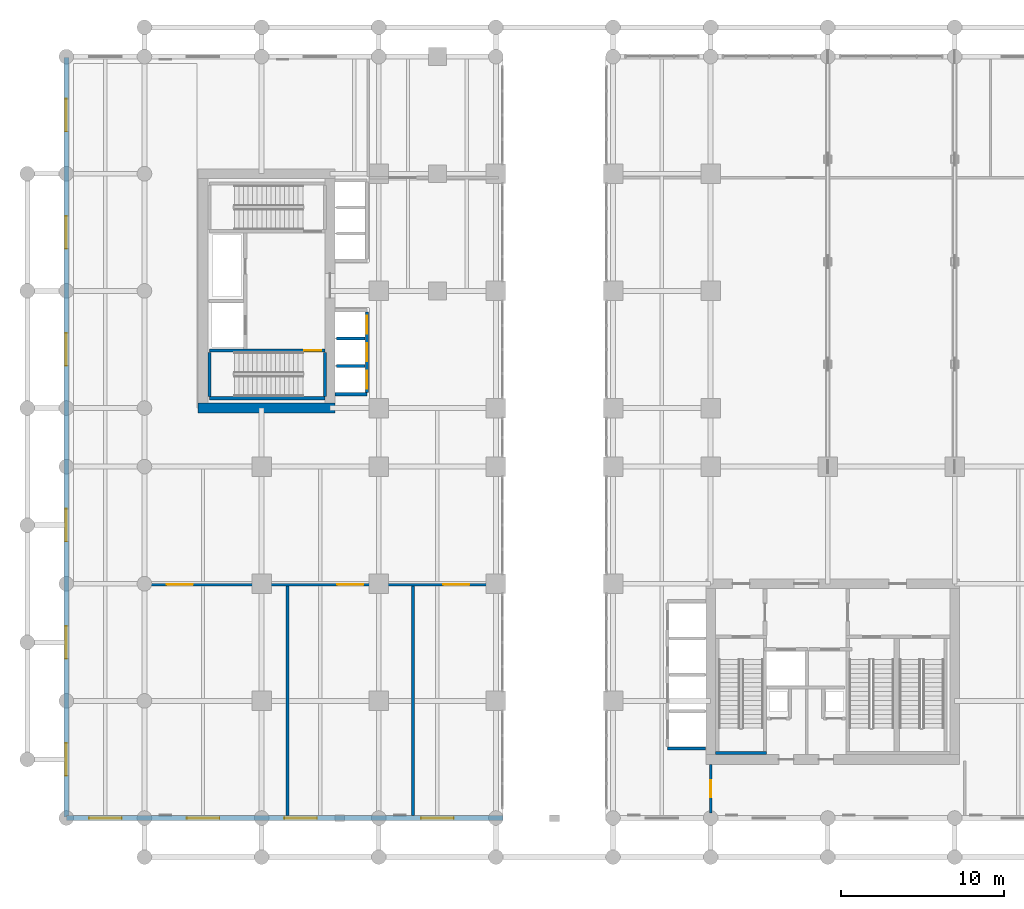
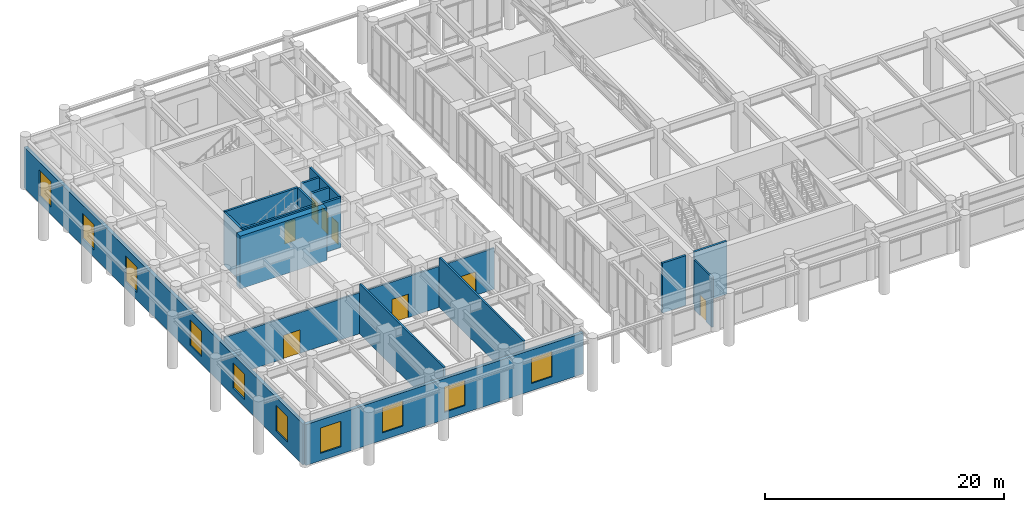
# One storey, part 16 of 24: 17 walls, 10 windows, 8 doors, 18 openings.
"""IFC4 building model written with IfcOpenShell, lengths in metres."""

import ifcopenshell
import ifcopenshell.guid

model = None  # the IFC model being written
_history = None  # IfcOwnerHistory: only IFC2X3 demands one
_inside = {}  # id of a spatial element -> (the spatial element, [elements in it])
_under = {}  # id of a project, library or spatial element -> (it, [spatial elements below it])
_declared = {}  # id of a project -> (the project, [libraries it declares])
_typed = {}  # id of a type object -> (the type object, [elements of that type])
_made_of = {}  # id of a material, layer set ... -> (it, [elements and type objects made of it])


def new_model(schema):
    """Start an empty IFC model of exactly this schema.

    Asked for "IFC4X3", IfcOpenShell would pick the latest addendum, in which some entities
    have other attributes; the version numbers below select the first issue.
    IFC2X3 requires an IfcOwnerHistory on every rooted entity: one is made here for all.
    """
    global model, _history
    if schema == "IFC4X3":
        model = ifcopenshell.file(schema_version=(4, 3, 0, 0))
    else:
        model = ifcopenshell.file(schema=schema)
    _inside.clear()
    _under.clear()
    _declared.clear()
    _typed.clear()
    _made_of.clear()
    _history = None
    if model.schema == "IFC2X3":
        org = make("IfcOrganization", Name="unknown")
        user = make(
            "IfcPersonAndOrganization",
            ThePerson=make("IfcPerson", FamilyName="unknown"),
            TheOrganization=org,
        )
        app = make(
            "IfcApplication",
            ApplicationDeveloper=org,
            Version="unknown",
            ApplicationFullName="unknown",
            ApplicationIdentifier="unknown",
        )
        _history = make(
            "IfcOwnerHistory",
            OwningUser=user,
            OwningApplication=app,
            ChangeAction="ADDED",
            CreationDate=0,
        )
    return model


def make(cls, **values):
    """One entity of the class cls with the attributes given. An attribute that is None is left unset."""
    return model.create_entity(
        cls, **{name: value for name, value in values.items() if value is not None}
    )


def rooted(cls, **values):
    """An entity with a GlobalId (a new one), such as an element, a storey or a relation."""
    return make(cls, GlobalId=ifcopenshell.guid.new(), OwnerHistory=_history, **values)


def si_unit(unit_type, name, prefix=None):
    """IfcSIUnit, for example si_unit("LENGTHUNIT", "METRE", prefix="MILLI")."""
    return make("IfcSIUnit", UnitType=unit_type, Prefix=prefix, Name=name)


def derived_unit(unit_type, elements):
    """IfcDerivedUnit: a product of units, each with its exponent."""
    return make(
        "IfcDerivedUnit",
        Elements=[
            make("IfcDerivedUnitElement", Unit=unit, Exponent=power)
            for unit, power in elements
        ],
        UnitType=unit_type,
    )


def assignment(units):
    """IfcUnitAssignment: the units of a project."""
    return None if units is None else make("IfcUnitAssignment", Units=units)


def point(xyz):
    """IfcCartesianPoint."""
    return None if xyz is None else make("IfcCartesianPoint", Coordinates=xyz)


def direction(xyz):
    """IfcDirection."""
    return None if xyz is None else make("IfcDirection", DirectionRatios=xyz)


def frame(location, z_axis=None, x_axis=None):
    """IfcAxis2Placement3D, a coordinate frame: its origin and axes. An axis left out is left unset."""
    return make(
        "IfcAxis2Placement3D",
        Location=point(location),
        Axis=direction(z_axis),
        RefDirection=direction(x_axis),
    )


def frame_2d(location, x_axis=None):
    """IfcAxis2Placement2D, a coordinate frame in the plane: its origin and x axis."""
    return make(
        "IfcAxis2Placement2D", Location=point(location), RefDirection=direction(x_axis)
    )


def origin():
    """The frame at (0, 0, 0) with its axes left unset."""
    return frame((0.0, 0.0, 0.0))


def place(relative_to, where):
    """IfcLocalPlacement: puts the frame where relative to a parent placement (None: the world)."""
    return make(
        "IfcLocalPlacement", PlacementRelTo=relative_to, RelativePlacement=where
    )


def context(
    kind, dimensions, precision=None, world=None, true_north=None, identifier=None
):
    """IfcGeometricRepresentationContext, for example the 3D "Model" context."""
    return make(
        "IfcGeometricRepresentationContext",
        ContextIdentifier=identifier,
        ContextType=kind,
        CoordinateSpaceDimension=dimensions,
        Precision=precision,
        WorldCoordinateSystem=world,
        TrueNorth=true_north,
    )


def subcontext(parent, identifier, kind, view, scale=None):
    """IfcGeometricRepresentationSubContext, for example "Body" below "Model"."""
    return make(
        "IfcGeometricRepresentationSubContext",
        ContextIdentifier=identifier,
        ContextType=kind,
        ParentContext=parent,
        TargetScale=scale,
        TargetView=view,
    )


def project(units=None, contexts=None):
    """IfcProject with its units and contexts."""
    return rooted(
        "IfcProject",
        Name="project",
        RepresentationContexts=contexts,
        UnitsInContext=assignment(units),
    )


def spatial(cls, under=None, at=None, **own):
    """A site, building, storey or space (cls), placed at a placement, below another one or the project."""
    s = rooted(cls, ObjectPlacement=at, **own)
    if under is not None:
        _under.setdefault(under.id(), (under, []))[1].append(s)
    return s


def profile(cls, at=None, kind="AREA", **sizes):
    """A parametric profile (cls). Its sizes go by their IFC names, for example OverallWidth=200.0."""
    return make(cls, ProfileType=kind, Position=at, **sizes)


def rectangle(**sizes):
    """IfcRectangleProfileDef."""
    return profile("IfcRectangleProfileDef", **sizes)


def extrude(swept, where, along, depth):
    """IfcExtrudedAreaSolid: the profile swept, set in the frame where, extruded along a direction by depth."""
    return make(
        "IfcExtrudedAreaSolid",
        SweptArea=swept,
        Position=where,
        ExtrudedDirection=direction(along),
        Depth=depth,
    )


def shape(context_of_items, identifier, shape_type, items):
    """IfcShapeRepresentation: the items that make up one representation, for example the "Body"."""
    return make(
        "IfcShapeRepresentation",
        ContextOfItems=context_of_items,
        RepresentationIdentifier=identifier,
        RepresentationType=shape_type,
        Items=items,
    )


def source(mapping_origin, context_of_items, identifier, shape_type, items):
    """IfcRepresentationMap: a shape defined once, which mapped items show again and again."""
    return make(
        "IfcRepresentationMap",
        MappingOrigin=mapping_origin,
        MappedRepresentation=shape(context_of_items, identifier, shape_type, items),
    )


def transform(
    local_origin,
    x_axis=None,
    y_axis=None,
    z_axis=None,
    scale=None,
    scale2=None,
    scale3=None,
    uniform=True,
):
    """IfcCartesianTransformationOperator3D, or its non-uniform kind. x_axis, y_axis, z_axis: its Axis1, 2, 3."""
    if uniform:
        return make(
            "IfcCartesianTransformationOperator3D",
            Axis1=direction(x_axis),
            Axis2=direction(y_axis),
            LocalOrigin=point(local_origin),
            Scale=scale,
            Axis3=direction(z_axis),
        )
    return make(
        "IfcCartesianTransformationOperator3DnonUniform",
        Axis1=direction(x_axis),
        Axis2=direction(y_axis),
        LocalOrigin=point(local_origin),
        Scale=scale,
        Axis3=direction(z_axis),
        Scale2=scale2,
        Scale3=scale3,
    )


def mapped(mapping_source, mapping_target):
    """IfcMappedItem: shows the shape of a source again, moved by a transform."""
    return make(
        "IfcMappedItem", MappingSource=mapping_source, MappingTarget=mapping_target
    )


def material(Name=None, Category=None):
    """IfcMaterial."""
    return make("IfcMaterial", Name=Name, Category=Category)


def layer(
    of_material, thickness, ventilated=None, Name=None, Category=None, Priority=None
):
    """IfcMaterialLayer: one layer of a wall or slab, of a material (None: an air gap)."""
    return make(
        "IfcMaterialLayer",
        Material=of_material,
        LayerThickness=thickness,
        IsVentilated=ventilated,
        Name=Name,
        Category=Category,
        Priority=Priority,
    )


def layer_set(layers, Name=None):
    """IfcMaterialLayerSet."""
    return make("IfcMaterialLayerSet", MaterialLayers=layers, LayerSetName=Name)


def made_of(thing, what):
    """Note that an element or type object is made of a material, layer set ...; save() writes the relation."""
    if what is not None:
        _made_of.setdefault(what.id(), (what, []))[1].append(thing)
    return thing


def type_object(cls, material=None, **own):
    """A type object (cls), such as IfcWallType, which elements share."""
    return made_of(rooted(cls, **own), material)


def type_shapes(of_type, sources):
    """Give a type object the sources (RepresentationMaps) that its elements show as mapped items."""
    of_type.RepresentationMaps = sources


def element(
    cls,
    number,
    at=None,
    inside=None,
    cuts=None,
    type_object=None,
    material=None,
    context=None,
    identifier="Body",
    shape_type=None,
    held_by="IfcProductDefinitionShape",
    body=None,
    shapes=None,
    **own,
):
    """One element of the class cls, such as IfcWall. Its Tag is "e" and its number.

    at: its placement. inside: the storey or other place that contains it. cuts: it is an
    opening in that element (IfcRelVoidsElement). A single representation is given by context,
    identifier, shape_type and body (its items); several are given by shapes. held_by: the class
    of the entity that holds the representations. save() writes the other relations.
    """
    e = rooted(cls, Tag="e%d" % number, ObjectPlacement=at, **own)
    if body is not None:
        shapes = [shape(context, identifier, shape_type, body)]
    if shapes is not None:
        e.Representation = make(held_by, Representations=shapes)
    if inside is not None:
        _inside.setdefault(inside.id(), (inside, []))[1].append(e)
    if cuts is not None:
        rooted(
            "IfcRelVoidsElement", RelatingBuildingElement=cuts, RelatedOpeningElement=e
        )
    if type_object is not None:
        _typed.setdefault(type_object.id(), (type_object, []))[1].append(e)
    return made_of(e, material)


def fill(opening, filler):
    """IfcRelFillsElement: the door or window that sits in an opening."""
    return rooted(
        "IfcRelFillsElement",
        RelatingOpeningElement=opening,
        RelatedBuildingElement=filler,
    )


def aggregate(whole, parts):
    """IfcRelAggregates: a whole, such as a stair, and the parts it consists of."""
    return rooted("IfcRelAggregates", RelatingObject=whole, RelatedObjects=parts)


def save(model, path):
    """Write the relations noted so far, then the file.

    IfcRelAggregates (storeys below a building ...), IfcRelContainedInSpatialStructure (elements
    in a storey), IfcRelDefinesByType, IfcRelAssociatesMaterial and IfcRelDeclares: one each for
    every whole, place, type object, material and project.
    """
    for whole, parts in _under.values():
        aggregate(whole, parts)
    for where, things in _inside.values():
        rooted(
            "IfcRelContainedInSpatialStructure",
            RelatedElements=things,
            RelatingStructure=where,
        )
    for kind, things in _typed.values():
        rooted("IfcRelDefinesByType", RelatedObjects=things, RelatingType=kind)
    for what, things in _made_of.values():
        rooted("IfcRelAssociatesMaterial", RelatedObjects=things, RelatingMaterial=what)
    for by, libraries in _declared.values():
        rooted("IfcRelDeclares", RelatingContext=by, RelatedDefinitions=libraries)
    model.write(path)


model = new_model("IFC4")

# Units and contexts
model_context = context("Model", 3, precision=1e-05, world=origin(), true_north=direction((0.0, 1.0)))
body_context = subcontext(model_context, "Body", "Model", "MODEL_VIEW")
ifc_project = project(units=[si_unit("LENGTHUNIT", "METRE"), si_unit("AREAUNIT", "SQUARE_METRE"), si_unit("VOLUMEUNIT", "CUBIC_METRE"), si_unit("PLANEANGLEUNIT", "RADIAN"), si_unit("MASSUNIT", "GRAM", prefix="KILO"), si_unit("THERMODYNAMICTEMPERATUREUNIT", "KELVIN"), si_unit("POWERUNIT", "WATT"), derived_unit("THERMALTRANSMITTANCEUNIT", [(si_unit("POWERUNIT", "WATT"), 1), (si_unit("AREAUNIT", "SQUARE_METRE"), -1), (si_unit("THERMODYNAMICTEMPERATUREUNIT", "KELVIN"), -1)])], contexts=[model_context])

# Site, building, storey
site_placement = place(None, origin())
site = spatial("IfcSite", under=ifc_project, at=site_placement, CompositionType="ELEMENT")
building_placement = place(site_placement, origin())
building = spatial("IfcBuilding", under=site, at=building_placement, Name="Zahravan Archway Hotel and Residences", CompositionType="ELEMENT")
storey_placement = place(building_placement, frame((0.0, 0.0, 10.800048828125)))
storey = spatial("IfcBuildingStorey", under=building, at=storey_placement, Name="L02", CompositionType="ELEMENT", Elevation=10.800048828125)

# Wall
ifc_material_1 = material(Name="Concrete C70/85", Category="concrete")
ifc_layer_1 = layer(ifc_material_1, 0.60009765625, Name="Concrete C70/85", Category="concrete")
ifc_layer_set_1 = layer_set([ifc_layer_1], Name="Concrete C70/85")
wall_type_1 = type_object("IfcWallType", Name="CW-CORE-600", PredefinedType="SHEAR", material=ifc_layer_set_1)
wall_1_placement = place(storey_placement, frame((3.300048828125, 25.199951171875, 0.0), z_axis=(0.0, 0.0, 1.0), x_axis=(1.0, 0.0, 0.0)))
element("IfcWall", 1, at=wall_1_placement, inside=storey, type_object=wall_type_1, Name="L02 Core B Shear S Wall 600 mm", PredefinedType="SHEAR", context=body_context, shape_type="SweptSolid", body=[
    extrude(rectangle(XDim=8.39990234375, YDim=0.60009765625, at=frame_2d((4.199951171875, 0.0))), origin(), (0.0, 0.0, 1.0), 5.39990234375),
])

# Wall, openings, windows
ifc_material_2 = material(Name="Agra Buff Sandstone & Insulated Backup", Category="masonry")
ifc_layer_2 = layer(ifc_material_2, 0.320068359375, Name="Agra Buff Sandstone & Insulated Backup", Category="masonry")
ifc_layer_set_2 = layer_set([ifc_layer_2], Name="Agra Buff Sandstone & Insulated Backup")
wall_type_2 = type_object("IfcWallType", Name="EW-SAND-320", PredefinedType="SOLIDWALL", material=ifc_layer_set_2)
wall_2_placement = place(storey_placement, frame((-4.800048828125, 0.0, 0.0), z_axis=(0.0, 0.0, 1.0), x_axis=(1.0, 0.0, 0.0)))
wall_2 = element("IfcWall", 2, at=wall_2_placement, inside=storey, type_object=wall_type_2, Name="L02 Podium Sandstone S Wall", PredefinedType="SOLIDWALL", context=body_context, shape_type="SweptSolid", body=[
    extrude(rectangle(XDim=26.85009765625, YDim=0.320068359375, at=frame_2d((13.425048828125, 0.0))), origin(), (0.0, 0.0, 1.0), 4.18505859375),
])
opening_1_placement = place(wall_2_placement, frame((1.39990234375, 0.0, 0.75)))
opening_1 = element("IfcOpeningElement", 3, at=opening_1_placement, cuts=wall_2, Name="Opening W-01", PredefinedType="OPENING", context=body_context, shape_type="SweptSolid", body=[
    extrude(rectangle(XDim=2.0, YDim=2.60009765625, at=frame_2d((1.0, 1.300048828125))), frame((0.0, 0.169921875, 0.0), z_axis=(0.0, -1.0, 0.0), x_axis=(1.0, 0.0, 0.0)), (0.0, 0.0, 1.0), 0.340087890625),
])
opening_2_placement = place(wall_2_placement, frame((7.39990234375, 0.0, 0.75)))
opening_2 = element("IfcOpeningElement", 4, at=opening_2_placement, cuts=wall_2, Name="Opening W-01", PredefinedType="OPENING", context=body_context, shape_type="SweptSolid", body=[
    extrude(rectangle(XDim=2.0, YDim=2.60009765625, at=frame_2d((1.0, 1.300048828125))), frame((0.0, 0.169921875, 0.0), z_axis=(0.0, -1.0, 0.0), x_axis=(1.0, 0.0, 0.0)), (0.0, 0.0, 1.0), 0.340087890625),
])
opening_3_placement = place(wall_2_placement, frame((13.39990234375, 0.0, 0.75)))
opening_3 = element("IfcOpeningElement", 5, at=opening_3_placement, cuts=wall_2, Name="Opening W-01", PredefinedType="OPENING", context=body_context, shape_type="SweptSolid", body=[
    extrude(rectangle(XDim=2.0, YDim=2.60009765625, at=frame_2d((1.0, 1.300048828125))), frame((0.0, 0.169921875, 0.0), z_axis=(0.0, -1.0, 0.0), x_axis=(1.0, 0.0, 0.0)), (0.0, 0.0, 1.0), 0.340087890625),
])
opening_4_placement = place(wall_2_placement, frame((21.800048828125, 0.0, 0.75)))
opening_4 = element("IfcOpeningElement", 6, at=opening_4_placement, cuts=wall_2, Name="Opening W-01", PredefinedType="OPENING", context=body_context, shape_type="SweptSolid", body=[
    extrude(rectangle(XDim=2.0, YDim=2.60009765625, at=frame_2d((1.0, 1.300048828125))), frame((0.0, 0.169921875, 0.0), z_axis=(0.0, -1.0, 0.0), x_axis=(1.0, 0.0, 0.0)), (0.0, 0.0, 1.0), 0.340087890625),
])
ifc_material_3 = material(Name="Bronze-Anodized Thermal-Break Aluminium & Low-E Glass", Category="aluminium")
window_type = type_object("IfcWindowType", Name="WIN-ARC-2000", PartitioningType="DOUBLE_PANEL_VERTICAL", PredefinedType="WINDOW", material=ifc_material_3)
shared_shape_1 = source(origin(), body_context, "Body", "SweptSolid", [
    extrude(rectangle(XDim=2.0, YDim=2.60009765625, at=frame_2d((1.0, 1.300048828125))), frame((0.0, 0.030029296875, 0.0), z_axis=(0.0, -1.0, 0.0), x_axis=(1.0, 0.0, 0.0)), (0.0, 0.0, 1.0), 0.06005859375),
])
type_shapes(window_type, [shared_shape_1])
window_1_placement = place(opening_1_placement, origin())
window_1 = element("IfcWindow", 7, at=window_1_placement, inside=storey, type_object=window_type, Name="L02 Podium Mughal Arch Window 01", OverallHeight=2.60009765625, OverallWidth=2.0, PartitioningType="DOUBLE_PANEL_VERTICAL", PredefinedType="WINDOW", context=body_context, shape_type="MappedRepresentation", body=[
    mapped(shared_shape_1, transform((0.0, 0.0, 0.0), scale=1.0)),
])
fill(opening_1, window_1)
window_2_placement = place(opening_2_placement, origin())
window_2 = element("IfcWindow", 8, at=window_2_placement, inside=storey, type_object=window_type, Name="L02 Podium Mughal Arch Window 02", OverallHeight=2.60009765625, OverallWidth=2.0, PartitioningType="DOUBLE_PANEL_VERTICAL", PredefinedType="WINDOW", context=body_context, shape_type="MappedRepresentation", body=[
    mapped(shared_shape_1, transform((0.0, 0.0, 0.0), scale=1.0)),
])
fill(opening_2, window_2)
window_3_placement = place(opening_3_placement, origin())
window_3 = element("IfcWindow", 9, at=window_3_placement, inside=storey, type_object=window_type, Name="L02 Podium Mughal Arch Window 03", OverallHeight=2.60009765625, OverallWidth=2.0, PartitioningType="DOUBLE_PANEL_VERTICAL", PredefinedType="WINDOW", context=body_context, shape_type="MappedRepresentation", body=[
    mapped(shared_shape_1, transform((0.0, 0.0, 0.0), scale=1.0)),
])
fill(opening_3, window_3)
window_4_placement = place(opening_4_placement, origin())
window_4 = element("IfcWindow", 10, at=window_4_placement, inside=storey, type_object=window_type, Name="L02 Podium Mughal Arch Window 04", OverallHeight=2.60009765625, OverallWidth=2.0, PartitioningType="DOUBLE_PANEL_VERTICAL", PredefinedType="WINDOW", context=body_context, shape_type="MappedRepresentation", body=[
    mapped(shared_shape_1, transform((0.0, 0.0, 0.0), scale=1.0)),
])
fill(opening_4, window_4)

wall_3_placement = place(storey_placement, frame((-4.800048828125, 0.050048828125, 0.0), z_axis=(0.0, 0.0, 1.0), x_axis=(0.0, 1.0, 0.0)))
wall_3 = element("IfcWall", 11, at=wall_3_placement, inside=storey, type_object=wall_type_2, Name="L02 Podium Sandstone W Wall", PredefinedType="SOLIDWALL", context=body_context, shape_type="SweptSolid", body=[
    extrude(rectangle(XDim=46.699951171875, YDim=0.320068359375, at=frame_2d((23.35009765625, 0.0))), origin(), (0.0, 0.0, 1.0), 4.18505859375),
])
opening_5_placement = place(wall_3_placement, frame((2.550048828125, 0.0, 0.75)))
opening_5 = element("IfcOpeningElement", 12, at=opening_5_placement, cuts=wall_3, Name="Opening W-01", PredefinedType="OPENING", context=body_context, shape_type="SweptSolid", body=[
    extrude(rectangle(XDim=2.0, YDim=2.60009765625, at=frame_2d((1.0, 1.300048828125))), frame((0.0, 0.169921875, 0.0), z_axis=(0.0, -1.0, 0.0), x_axis=(1.0, 0.0, 0.0)), (0.0, 0.0, 1.0), 0.340087890625),
])
opening_6_placement = place(wall_3_placement, frame((9.75, 0.0, 0.75)))
opening_6 = element("IfcOpeningElement", 13, at=opening_6_placement, cuts=wall_3, Name="Opening W-01", PredefinedType="OPENING", context=body_context, shape_type="SweptSolid", body=[
    extrude(rectangle(XDim=2.0, YDim=2.60009765625, at=frame_2d((1.0, 1.300048828125))), frame((0.0, 0.169921875, 0.0), z_axis=(0.0, -1.0, 0.0), x_axis=(1.0, 0.0, 0.0)), (0.0, 0.0, 1.0), 0.340087890625),
])
opening_7_placement = place(wall_3_placement, frame((16.949951171875, 0.0, 0.75)))
opening_7 = element("IfcOpeningElement", 14, at=opening_7_placement, cuts=wall_3, Name="Opening W-01", PredefinedType="OPENING", context=body_context, shape_type="SweptSolid", body=[
    extrude(rectangle(XDim=2.0, YDim=2.60009765625, at=frame_2d((1.0, 1.300048828125))), frame((0.0, 0.169921875, 0.0), z_axis=(0.0, -1.0, 0.0), x_axis=(1.0, 0.0, 0.0)), (0.0, 0.0, 1.0), 0.340087890625),
])
opening_8_placement = place(wall_3_placement, frame((27.75, 0.0, 0.75)))
opening_8 = element("IfcOpeningElement", 15, at=opening_8_placement, cuts=wall_3, Name="Opening W-01", PredefinedType="OPENING", context=body_context, shape_type="SweptSolid", body=[
    extrude(rectangle(XDim=2.0, YDim=2.60009765625, at=frame_2d((1.0, 1.300048828125))), frame((0.0, 0.169921875, 0.0), z_axis=(0.0, -1.0, 0.0), x_axis=(1.0, 0.0, 0.0)), (0.0, 0.0, 1.0), 0.340087890625),
])
opening_9_placement = place(wall_3_placement, frame((34.949951171875, 0.0, 0.75)))
opening_9 = element("IfcOpeningElement", 16, at=opening_9_placement, cuts=wall_3, Name="Opening W-01", PredefinedType="OPENING", context=body_context, shape_type="SweptSolid", body=[
    extrude(rectangle(XDim=2.0, YDim=2.60009765625, at=frame_2d((1.0, 1.300048828125))), frame((0.0, 0.169921875, 0.0), z_axis=(0.0, -1.0, 0.0), x_axis=(1.0, 0.0, 0.0)), (0.0, 0.0, 1.0), 0.340087890625),
])
opening_10_placement = place(wall_3_placement, frame((42.14990234375, 0.0, 0.75)))
opening_10 = element("IfcOpeningElement", 17, at=opening_10_placement, cuts=wall_3, Name="Opening W-01", PredefinedType="OPENING", context=body_context, shape_type="SweptSolid", body=[
    extrude(rectangle(XDim=2.0, YDim=2.60009765625, at=frame_2d((1.0, 1.300048828125))), frame((0.0, 0.169921875, 0.0), z_axis=(0.0, -1.0, 0.0), x_axis=(1.0, 0.0, 0.0)), (0.0, 0.0, 1.0), 0.340087890625),
])
window_5_placement = place(opening_5_placement, origin())
window_5 = element("IfcWindow", 18, at=window_5_placement, inside=storey, type_object=window_type, Name="L02 Podium Mughal Arch Window 20", OverallHeight=2.60009765625, OverallWidth=2.0, PartitioningType="DOUBLE_PANEL_VERTICAL", PredefinedType="WINDOW", context=body_context, shape_type="MappedRepresentation", body=[
    mapped(shared_shape_1, transform((0.0, 0.0, 0.0), scale=1.0)),
])
fill(opening_5, window_5)
window_6_placement = place(opening_6_placement, origin())
window_6 = element("IfcWindow", 19, at=window_6_placement, inside=storey, type_object=window_type, Name="L02 Podium Mughal Arch Window 21", OverallHeight=2.60009765625, OverallWidth=2.0, PartitioningType="DOUBLE_PANEL_VERTICAL", PredefinedType="WINDOW", context=body_context, shape_type="MappedRepresentation", body=[
    mapped(shared_shape_1, transform((0.0, 0.0, 0.0), scale=1.0)),
])
fill(opening_6, window_6)
window_7_placement = place(opening_7_placement, origin())
window_7 = element("IfcWindow", 20, at=window_7_placement, inside=storey, type_object=window_type, Name="L02 Podium Mughal Arch Window 22", OverallHeight=2.60009765625, OverallWidth=2.0, PartitioningType="DOUBLE_PANEL_VERTICAL", PredefinedType="WINDOW", context=body_context, shape_type="MappedRepresentation", body=[
    mapped(shared_shape_1, transform((0.0, 0.0, 0.0), scale=1.0)),
])
fill(opening_7, window_7)
window_8_placement = place(opening_8_placement, origin())
window_8 = element("IfcWindow", 21, at=window_8_placement, inside=storey, type_object=window_type, Name="L02 Podium Mughal Arch Window 23", OverallHeight=2.60009765625, OverallWidth=2.0, PartitioningType="DOUBLE_PANEL_VERTICAL", PredefinedType="WINDOW", context=body_context, shape_type="MappedRepresentation", body=[
    mapped(shared_shape_1, transform((0.0, 0.0, 0.0), scale=1.0)),
])
fill(opening_8, window_8)
window_9_placement = place(opening_9_placement, origin())
window_9 = element("IfcWindow", 22, at=window_9_placement, inside=storey, type_object=window_type, Name="L02 Podium Mughal Arch Window 24", OverallHeight=2.60009765625, OverallWidth=2.0, PartitioningType="DOUBLE_PANEL_VERTICAL", PredefinedType="WINDOW", context=body_context, shape_type="MappedRepresentation", body=[
    mapped(shared_shape_1, transform((0.0, 0.0, 0.0), scale=1.0)),
])
fill(opening_9, window_9)
window_10_placement = place(opening_10_placement, origin())
window_10 = element("IfcWindow", 23, at=window_10_placement, inside=storey, type_object=window_type, Name="L02 Podium Mughal Arch Window 25", OverallHeight=2.60009765625, OverallWidth=2.0, PartitioningType="DOUBLE_PANEL_VERTICAL", PredefinedType="WINDOW", context=body_context, shape_type="MappedRepresentation", body=[
    mapped(shared_shape_1, transform((0.0, 0.0, 0.0), scale=1.0)),
])
fill(opening_10, window_10)

# Wall, opening, door
ifc_material_4 = material(Name="Fire-Rated Gypsum & Concrete Block", Category="concrete")
ifc_layer_3 = layer(ifc_material_4, 0.159912109375, Name="Fire-Rated Gypsum & Concrete Block", Category="concrete")
ifc_layer_set_3 = layer_set([ifc_layer_3], Name="Fire-Rated Gypsum & Concrete Block")
wall_type_3 = type_object("IfcWallType", Name="PW-CORR-160", PredefinedType="PARTITIONING", material=ifc_layer_set_3)
wall_4_placement = place(storey_placement, frame((34.800048828125, 0.320068359375, 0.0), z_axis=(0.0, 0.0, 1.0), x_axis=(0.0, 1.0, 0.0)))
wall_4 = element("IfcWall", 24, at=wall_4_placement, inside=storey, type_object=wall_type_3, Name="L02 Partition L02-CAS", PredefinedType="PARTITIONING", context=body_context, shape_type="SweptSolid", body=[
    extrude(rectangle(XDim=2.9599609375, YDim=0.159912109375, at=frame_2d((1.47998046875, 0.0))), origin(), (0.0, 0.0, 1.0), 5.099853515625),
])
opening_11_placement = place(wall_4_placement, frame((0.955078125, 0.0, 0.0)))
opening_11 = element("IfcOpeningElement", 25, at=opening_11_placement, cuts=wall_4, Name="Opening FD-L2", PredefinedType="OPENING", context=body_context, shape_type="SweptSolid", body=[
    extrude(rectangle(XDim=1.050048828125, YDim=2.14990234375, at=frame_2d((0.52490234375, 1.074951171875))), frame((0.0, 0.08984375, 0.0), z_axis=(0.0, -1.0, 0.0), x_axis=(1.0, 0.0, 0.0)), (0.0, 0.0, 1.0), 0.179931640625),
])
ifc_material_5 = material(Name="Fire-Rated Painted Steel", Category="steel")
door_type_1 = type_object("IfcDoorType", Name="FD-LOBBY-1100", OperationType="NOTDEFINED", PredefinedType="DOOR", material=ifc_material_5)
shared_shape_2 = source(origin(), body_context, "Body", "SweptSolid", [
    extrude(rectangle(XDim=1.050048828125, YDim=2.14990234375, at=frame_2d((0.52490234375, 1.074951171875))), frame((0.0, 0.02490234375, 0.0), z_axis=(0.0, -1.0, 0.0), x_axis=(1.0, 0.0, 0.0)), (0.0, 0.0, 1.0), 0.050048828125),
])
type_shapes(door_type_1, [shared_shape_2])
door_1_placement = place(opening_11_placement, origin())
door_1 = element("IfcDoor", 26, at=door_1_placement, inside=storey, type_object=door_type_1, Name="L02 South Riser Access Door", OperationType="SINGLE_SWING_RIGHT", OverallHeight=2.14990234375, OverallWidth=1.050048828125, PredefinedType="DOOR", context=body_context, shape_type="MappedRepresentation", body=[
    mapped(shared_shape_2, transform((0.0, 0.0, 0.0), scale=1.0)),
])
fill(opening_11, door_1)

# Wall, openings, doors
wall_5_placement = place(storey_placement, frame((-4.360107421875, 14.35009765625, 0.0), z_axis=(0.0, 0.0, 1.0), x_axis=(1.0, 0.0, 0.0)))
wall_5 = element("IfcWall", 27, at=wall_5_placement, inside=storey, type_object=wall_type_3, Name="L02 Partition L02-GSW", PredefinedType="PARTITIONING", context=body_context, shape_type="SweptSolid", body=[
    extrude(rectangle(XDim=26.1201171875, YDim=0.159912109375, at=frame_2d((13.06005859375, 0.0))), origin(), (0.0, 0.0, 1.0), 4.18505859375),
])
opening_12_placement = place(wall_5_placement, frame((5.735107421875, 0.0, 0.0)))
opening_12 = element("IfcOpeningElement", 28, at=opening_12_placement, cuts=wall_5, Name="Opening D-P2", PredefinedType="OPENING", context=body_context, shape_type="SweptSolid", body=[
    extrude(rectangle(XDim=1.60009765625, YDim=2.39990234375, at=frame_2d((0.800048828125, 1.199951171875))), frame((0.0, 0.08984375, 0.0), z_axis=(0.0, -1.0, 0.0), x_axis=(1.0, 0.0, 0.0)), (0.0, 0.0, 1.0), 0.179931640625),
])
opening_13_placement = place(wall_5_placement, frame((16.2099609375, 0.0, 0.0)))
opening_13 = element("IfcOpeningElement", 29, at=opening_13_placement, cuts=wall_5, Name="Opening D-P2", PredefinedType="OPENING", context=body_context, shape_type="SweptSolid", body=[
    extrude(rectangle(XDim=1.60009765625, YDim=2.39990234375, at=frame_2d((0.800048828125, 1.199951171875))), frame((0.0, 0.08984375, 0.0), z_axis=(0.0, -1.0, 0.0), x_axis=(1.0, 0.0, 0.0)), (0.0, 0.0, 1.0), 0.179931640625),
])
opening_14_placement = place(wall_5_placement, frame((22.735107421875, 0.0, 0.0)))
opening_14 = element("IfcOpeningElement", 30, at=opening_14_placement, cuts=wall_5, Name="Opening D-P2", PredefinedType="OPENING", context=body_context, shape_type="SweptSolid", body=[
    extrude(rectangle(XDim=1.60009765625, YDim=2.39990234375, at=frame_2d((0.800048828125, 1.199951171875))), frame((0.0, 0.08984375, 0.0), z_axis=(0.0, -1.0, 0.0), x_axis=(1.0, 0.0, 0.0)), (0.0, 0.0, 1.0), 0.179931640625),
])
ifc_material_6 = material(Name="Bronze-Anodized Glazed Aluminium", Category="aluminium")
door_type_2 = type_object("IfcDoorType", Name="ID-PUBLIC-1600", OperationType="DOUBLE_DOOR_SINGLE_SWING", PredefinedType="DOOR", material=ifc_material_6)
shared_shape_3 = source(origin(), body_context, "Body", "SweptSolid", [
    extrude(rectangle(XDim=1.60009765625, YDim=2.39990234375, at=frame_2d((0.800048828125, 1.199951171875))), frame((0.0, 0.02490234375, 0.0), z_axis=(0.0, -1.0, 0.0), x_axis=(1.0, 0.0, 0.0)), (0.0, 0.0, 1.0), 0.050048828125),
])
type_shapes(door_type_2, [shared_shape_3])
door_2_placement = place(opening_12_placement, origin())
door_2 = element("IfcDoor", 31, at=door_2_placement, inside=storey, type_object=door_type_2, Name="L02 All-Day Lahori & Punjabi Brasserie Door", OperationType="DOUBLE_DOOR_SINGLE_SWING", OverallHeight=2.39990234375, OverallWidth=1.60009765625, PredefinedType="DOOR", context=body_context, shape_type="MappedRepresentation", body=[
    mapped(shared_shape_3, transform((0.0, 0.0, 0.0), scale=1.0)),
])
fill(opening_12, door_2)
door_3_placement = place(opening_13_placement, origin())
door_3 = element("IfcDoor", 32, at=door_3_placement, inside=storey, type_object=door_type_2, Name="L02 Central Production Culinary Kitchen Door", OperationType="DOUBLE_DOOR_SINGLE_SWING", OverallHeight=2.39990234375, OverallWidth=1.60009765625, PredefinedType="DOOR", context=body_context, shape_type="MappedRepresentation", body=[
    mapped(shared_shape_3, transform((0.0, 0.0, 0.0), scale=1.0)),
])
fill(opening_13, door_3)
door_4_placement = place(opening_14_placement, origin())
door_4 = element("IfcDoor", 33, at=door_4_placement, inside=storey, type_object=door_type_2, Name="L02 Concourse Espresso Lounge Door", OperationType="DOUBLE_DOOR_SINGLE_SWING", OverallHeight=2.39990234375, OverallWidth=1.60009765625, PredefinedType="DOOR", context=body_context, shape_type="MappedRepresentation", body=[
    mapped(shared_shape_3, transform((0.0, 0.0, 0.0), scale=1.0)),
])
fill(opening_14, door_4)

# Walls
ifc_layer_4 = layer(ifc_material_4, 0.199951171875, Name="Fire-Rated Gypsum & Concrete Block", Category="concrete")
ifc_layer_set_4 = layer_set([ifc_layer_4], Name="Fire-Rated Gypsum & Concrete Block")
wall_type_4 = type_object("IfcWallType", Name="PW-SHAFT-200", PredefinedType="PARTITIONING", material=ifc_layer_set_4)
wall_6_placement = place(storey_placement, frame((32.159912109375, 4.280029296875, 0.0), z_axis=(0.0, 0.0, 1.0), x_axis=(1.0, 0.0, 0.0)))
element("IfcWall", 34, at=wall_6_placement, inside=storey, type_object=wall_type_4, Name="L02 Partition B3-S", PredefinedType="PARTITIONING", context=body_context, shape_type="SweptSolid", body=[
    extrude(rectangle(XDim=2.31005859375, YDim=0.199951171875, at=frame_2d((1.155029296875, 0.0))), origin(), (0.0, 0.0, 1.0), 5.099853515625),
])
wall_7_placement = place(storey_placement, frame((11.7099609375, 26.050048828125, 0.0), z_axis=(0.0, 0.0, 1.0), x_axis=(1.0, 0.0, 0.0)))
element("IfcWall", 35, at=wall_7_placement, inside=storey, type_object=wall_type_4, Name="L02 Partition B1-S", PredefinedType="PARTITIONING", context=body_context, shape_type="SweptSolid", body=[
    extrude(rectangle(XDim=1.9599609375, YDim=0.199951171875, at=frame_2d((0.97998046875, 0.0))), origin(), (0.0, 0.0, 1.0), 5.099853515625),
])

# Wall, openings, doors
wall_8_placement = place(storey_placement, frame((13.679931640625, 26.159912109375, 0.0), z_axis=(0.0, 0.0, 1.0), x_axis=(0.0, 1.0, 0.0)))
wall_8 = element("IfcWall", 36, at=wall_8_placement, inside=storey, type_object=wall_type_4, Name="L02 Partition B1-E", PredefinedType="PARTITIONING", context=body_context, shape_type="SweptSolid", body=[
    extrude(rectangle(XDim=4.940185546875, YDim=0.199951171875, at=frame_2d((2.47021484375, 0.0))), origin(), (0.0, 0.0, 1.0), 5.099853515625),
])
opening_15_placement = place(wall_8_placement, frame((0.239990234375, 0.0, 0.0)))
opening_15 = element("IfcOpeningElement", 37, at=opening_15_placement, cuts=wall_8, Name="Opening LD", PredefinedType="OPENING", context=body_context, shape_type="SweptSolid", body=[
    extrude(rectangle(XDim=1.10009765625, YDim=2.199951171875, at=frame_2d((0.550048828125, 1.10009765625))), frame((0.0, 0.10986328125, 0.0), z_axis=(0.0, -1.0, 0.0), x_axis=(1.0, 0.0, 0.0)), (0.0, 0.0, 1.0), 0.219970703125),
])
opening_16_placement = place(wall_8_placement, frame((1.919921875, 0.0, 0.0)))
opening_16 = element("IfcOpeningElement", 38, at=opening_16_placement, cuts=wall_8, Name="Opening LD", PredefinedType="OPENING", context=body_context, shape_type="SweptSolid", body=[
    extrude(rectangle(XDim=1.10009765625, YDim=2.199951171875, at=frame_2d((0.550048828125, 1.10009765625))), frame((0.0, 0.10986328125, 0.0), z_axis=(0.0, -1.0, 0.0), x_axis=(1.0, 0.0, 0.0)), (0.0, 0.0, 1.0), 0.219970703125),
])
opening_17_placement = place(wall_8_placement, frame((3.60009765625, 0.0, 0.0)))
opening_17 = element("IfcOpeningElement", 39, at=opening_17_placement, cuts=wall_8, Name="Opening LD", PredefinedType="OPENING", context=body_context, shape_type="SweptSolid", body=[
    extrude(rectangle(XDim=1.10009765625, YDim=2.199951171875, at=frame_2d((0.550048828125, 1.10009765625))), frame((0.0, 0.10986328125, 0.0), z_axis=(0.0, -1.0, 0.0), x_axis=(1.0, 0.0, 0.0)), (0.0, 0.0, 1.0), 0.219970703125),
])
ifc_material_7 = material(Name="Brushed Stainless Steel", Category="steel")
door_type_3 = type_object("IfcDoorType", Name="DR-LIFT-LD", OperationType="SLIDING_TO_LEFT", PredefinedType="DOOR", material=ifc_material_7)
shared_shape_4 = source(origin(), body_context, "Body", "SweptSolid", [
    extrude(rectangle(XDim=1.10009765625, YDim=2.199951171875, at=frame_2d((0.550048828125, 1.10009765625))), frame((0.0, 0.02490234375, 0.0), z_axis=(0.0, -1.0, 0.0), x_axis=(1.0, 0.0, 0.0)), (0.0, 0.0, 1.0), 0.050048828125),
])
type_shapes(door_type_3, [shared_shape_4])
door_5_placement = place(opening_15_placement, origin())
door_5 = element("IfcDoor", 40, at=door_5_placement, inside=storey, type_object=door_type_3, Name="L02 Lift LP-1 Sliding Landing Door", OperationType="SLIDING_TO_LEFT", OverallHeight=2.199951171875, OverallWidth=1.10009765625, PredefinedType="DOOR", context=body_context, shape_type="MappedRepresentation", body=[
    mapped(shared_shape_4, transform((0.0, 0.0, 0.0), scale=1.0)),
])
fill(opening_15, door_5)
door_6_placement = place(opening_16_placement, origin())
door_6 = element("IfcDoor", 41, at=door_6_placement, inside=storey, type_object=door_type_3, Name="L02 Lift LP-2 Sliding Landing Door", OperationType="SLIDING_TO_LEFT", OverallHeight=2.199951171875, OverallWidth=1.10009765625, PredefinedType="DOOR", context=body_context, shape_type="MappedRepresentation", body=[
    mapped(shared_shape_4, transform((0.0, 0.0, 0.0), scale=1.0)),
])
fill(opening_16, door_6)
door_7_placement = place(opening_17_placement, origin())
door_7 = element("IfcDoor", 42, at=door_7_placement, inside=storey, type_object=door_type_3, Name="L02 Lift LP-3 Sliding Landing Door", OperationType="SLIDING_TO_LEFT", OverallHeight=2.199951171875, OverallWidth=1.10009765625, PredefinedType="DOOR", context=body_context, shape_type="MappedRepresentation", body=[
    mapped(shared_shape_4, transform((0.0, 0.0, 0.0), scale=1.0)),
])
fill(opening_17, door_7)

# Walls
for number, where, z_axis, x_axis, name in (
    (43, (11.81005859375, 27.7900390625, 0.0), (0.0, 0.0, 1.0), (1.0, 0.0, 0.0), "L02 Partition B1-D"),
    (44, (11.81005859375, 29.469970703125, 0.0), (0.0, 0.0, 1.0), (1.0, 0.0, 0.0), "L02 Partition B1-D"),
):
    element("IfcWall", number, at=place(storey_placement, frame(where, z_axis=z_axis, x_axis=x_axis)), inside=storey, type_object=wall_type_4, Name=name, PredefinedType="PARTITIONING", context=body_context, shape_type="SweptSolid", body=[
        extrude(rectangle(XDim=1.760009765625, YDim=0.199951171875, at=frame_2d((0.8798828125, 0.0))), origin(), (0.0, 0.0, 1.0), 5.099853515625),
    ])
ifc_material_8 = material(Name="Acoustic Stud Partition")
ifc_layer_5 = layer(ifc_material_8, 0.169921875, Name="Acoustic Stud Partition")
ifc_layer_set_5 = layer_set([ifc_layer_5], Name="Acoustic Stud Partition")
wall_type_5 = type_object("IfcWallType", Name="PW-UNIT-170", PredefinedType="PARTITIONING", material=ifc_layer_set_5)
for number, where, z_axis, x_axis, name in (
    (45, (8.800048828125, 0.16796875, 0.0), (0.0, 0.0, 1.0), (0.0, 1.0, 0.0), "L02 Partition L02-SV1"),
    (46, (16.5, 0.16796875, 0.0), (0.0, 0.0, 1.0), (0.0, 1.0, 0.0), "L02 Partition L02-SV2"),
):
    element("IfcWall", number, at=place(storey_placement, frame(where, z_axis=z_axis, x_axis=x_axis)), inside=storey, type_object=wall_type_5, Name=name, PredefinedType="PARTITIONING", context=body_context, shape_type="SweptSolid", body=[
        extrude(rectangle(XDim=14.092041015625, YDim=0.169921875, at=frame_2d((7.0458984375, 0.0))), origin(), (0.0, 0.0, 1.0), 5.099853515625),
    ])
ifc_material_9 = material(Name="Concrete C50/60", Category="concrete")
ifc_layer_6 = layer(ifc_material_9, 0.199951171875, Name="Concrete C50/60", Category="concrete")
ifc_layer_set_6 = layer_set([ifc_layer_6], Name="Concrete C50/60")
wall_type_6 = type_object("IfcWallType", Name="SW-STAIR-200", PredefinedType="SHEAR", material=ifc_layer_set_6)
wall_9_placement = place(storey_placement, frame((35.10009765625, 4.0, 0.0), z_axis=(0.0, 0.0, 1.0), x_axis=(1.0, 0.0, 0.0)))
element("IfcWall", 47, at=wall_9_placement, inside=storey, type_object=wall_type_6, Name="L02 Stairwell RC Wall CA-SA1S", PredefinedType="SHEAR", context=body_context, shape_type="SweptSolid", body=[
    extrude(rectangle(XDim=3.139892578125, YDim=0.199951171875, at=frame_2d((1.56982421875, 0.0))), origin(), (0.0, 0.0, 1.0), 5.39990234375),
])
wall_10_placement = place(storey_placement, frame((4.0, 25.800048828125, 0.0), z_axis=(0.0, 0.0, 1.0), x_axis=(1.0, 0.0, 0.0)))
element("IfcWall", 48, at=wall_10_placement, inside=storey, type_object=wall_type_6, Name="L02 Stairwell RC Wall CB-SB1S", PredefinedType="SHEAR", context=body_context, shape_type="SweptSolid", body=[
    extrude(rectangle(XDim=7.10009765625, YDim=0.199951171875, at=frame_2d((3.550048828125, 0.0))), origin(), (0.0, 0.0, 1.0), 5.39990234375),
])
for number, where, z_axis, x_axis, name in (
    (49, (4.0, 25.919921875, 0.0), (0.0, 0.0, 1.0), (0.0, 1.0, 0.0), "L02 Stairwell RC Wall CB-SB1W"),
    (50, (11.10009765625, 25.919921875, 0.0), (0.0, 0.0, 1.0), (0.0, 1.0, 0.0), "L02 Stairwell RC Wall CB-SB1E"),
):
    element("IfcWall", number, at=place(storey_placement, frame(where, z_axis=z_axis, x_axis=x_axis)), inside=storey, type_object=wall_type_6, Name=name, PredefinedType="SHEAR", context=body_context, shape_type="SweptSolid", body=[
        extrude(rectangle(XDim=2.7001953125, YDim=0.199951171875, at=frame_2d((1.35009765625, 0.0))), origin(), (0.0, 0.0, 1.0), 5.39990234375),
    ])

# Wall, opening, door
wall_11_placement = place(storey_placement, frame((4.0, 28.739990234375, 0.0), z_axis=(0.0, 0.0, 1.0), x_axis=(1.0, 0.0, 0.0)))
wall_11 = element("IfcWall", 51, at=wall_11_placement, inside=storey, type_object=wall_type_6, Name="L02 Stairwell RC Wall CB-SB1N", PredefinedType="SHEAR", context=body_context, shape_type="SweptSolid", body=[
    extrude(rectangle(XDim=7.10009765625, YDim=0.199951171875, at=frame_2d((3.550048828125, 0.0))), origin(), (0.0, 0.0, 1.0), 5.39990234375),
])
opening_18_placement = place(wall_11_placement, frame((5.81494140625, 0.0, 0.0)))
opening_18 = element("IfcOpeningElement", 52, at=opening_18_placement, cuts=wall_11, Name="Opening FD-S1", PredefinedType="OPENING", context=body_context, shape_type="SweptSolid", body=[
    extrude(rectangle(XDim=1.050048828125, YDim=2.199951171875, at=frame_2d((0.52490234375, 1.10009765625))), frame((0.0, 0.10986328125, 0.0), z_axis=(0.0, -1.0, 0.0), x_axis=(1.0, 0.0, 0.0)), (0.0, 0.0, 1.0), 0.219970703125),
])
door_type_4 = type_object("IfcDoorType", Name="FD-STAIR-1100", OperationType="NOTDEFINED", PredefinedType="DOOR", material=ifc_material_5)
shared_shape_5 = source(origin(), body_context, "Body", "SweptSolid", [
    extrude(rectangle(XDim=1.050048828125, YDim=2.199951171875, at=frame_2d((0.52490234375, 1.10009765625))), frame((0.0, 0.02490234375, 0.0), z_axis=(0.0, -1.0, 0.0), x_axis=(1.0, 0.0, 0.0)), (0.0, 0.0, 1.0), 0.050048828125),
])
type_shapes(door_type_4, [shared_shape_5])
door_8_placement = place(opening_18_placement, origin())
door_8 = element("IfcDoor", 53, at=door_8_placement, inside=storey, type_object=door_type_4, Name="L02 Stair ST-B1 Door", OperationType="SINGLE_SWING_LEFT", OverallHeight=2.199951171875, OverallWidth=1.050048828125, PredefinedType="DOOR", context=body_context, shape_type="MappedRepresentation", body=[
    mapped(shared_shape_5, transform((0.0, 0.0, 0.0), scale=1.0)),
])
fill(opening_18, door_8)

save(model, "model.ifc")
